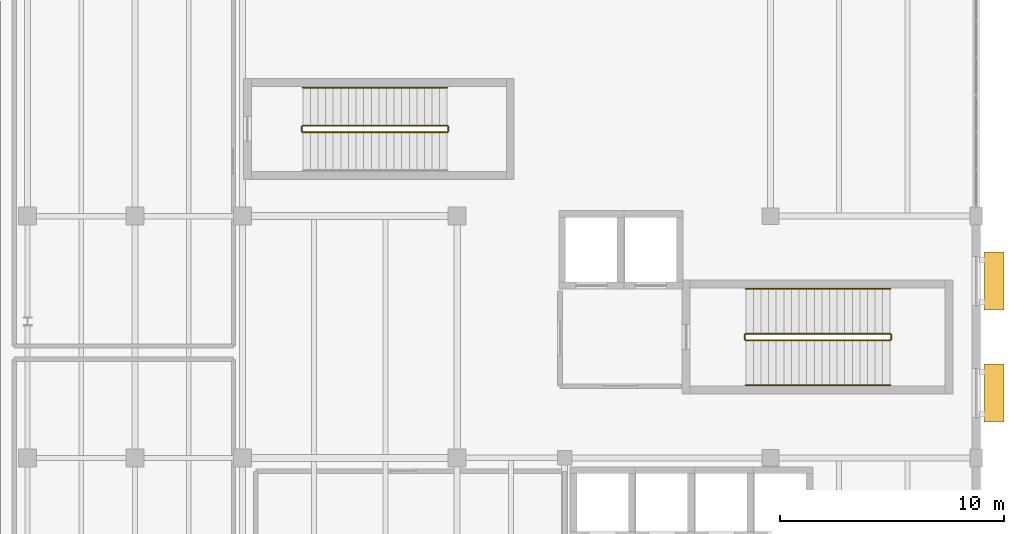
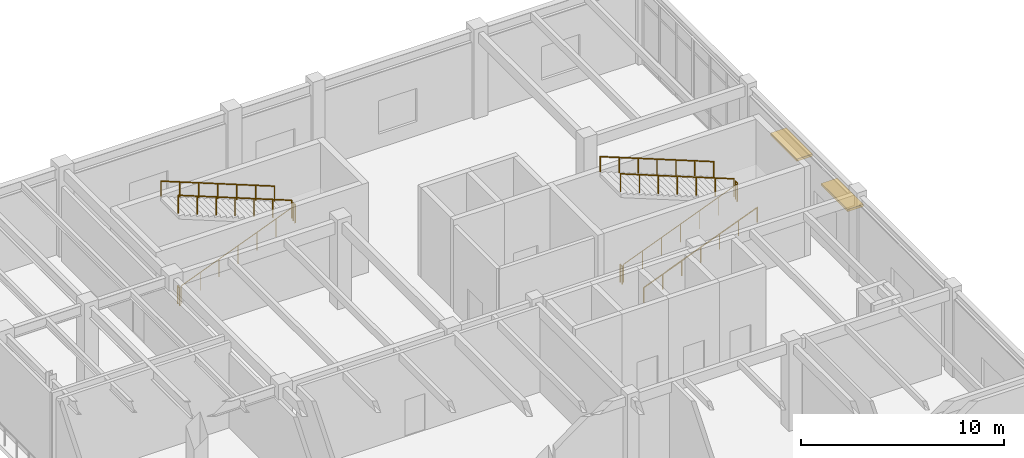
# One storey, part 72 of 72: 11 railings, 2 shading devices.
"""IFC4 building model written with IfcOpenShell, lengths in metres."""

from ifc_helpers import new_model, si_unit, direction, frame, origin, origin_2d, place, context, subcontext, project, spatial, rectangle, circle, extrude, material, type_object, element, save


model = new_model("IFC4")

# Units and contexts
model_context = context("Model", 3, precision=1e-05, world=origin(), true_north=direction((0.0, 1.0)))
body_context = subcontext(model_context, "Body", "Model", "MODEL_VIEW")
ifc_project = project(units=[si_unit("LENGTHUNIT", "METRE"), si_unit("AREAUNIT", "SQUARE_METRE"), si_unit("VOLUMEUNIT", "CUBIC_METRE"), si_unit("PLANEANGLEUNIT", "RADIAN"), si_unit("MASSUNIT", "GRAM", prefix="KILO")], contexts=[model_context])

# Site, building, storey
site_placement = place(None, origin())
site = spatial("IfcSite", under=ifc_project, at=site_placement, CompositionType="ELEMENT")
building_placement = place(site_placement, origin())
building = spatial("IfcBuilding", under=site, at=building_placement, Name="Veldera Park Congress Hotel", CompositionType="ELEMENT")
storey_placement = place(building_placement, frame((0.0, 0.0, 5.39990234375)))
storey = spatial("IfcBuildingStorey", under=building, at=storey_placement, Name="L01", CompositionType="ELEMENT", Elevation=5.39990234375)

# Railings
ifc_material_1 = material(Name="Steel ASTM A992 Gr.50", Category="steel")
railing_type_1 = type_object("IfcRailingType", Name="GRD-ST110", PredefinedType="GUARDRAIL", material=ifc_material_1)
railing_1_placement = place(storey_placement, frame((73.699951171875, 41.64990234375, 0.135009765625)))
element("IfcRailing", 1, at=railing_1_placement, inside=storey, type_object=railing_type_1, Name="L01 ST1 stair guard 1", PredefinedType="GUARDRAIL", context=body_context, shape_type="SweptSolid", body=[
    extrude(circle(Radius=0.02392578125, at=origin_2d()), frame((0.0, 0.0, 1.076171875), z_axis=(0.929406391584, 0.0, 0.369057934859), x_axis=(0.0, 1.0, 0.0)), (0.0, 0.0, 1.0), 6.95068359375),
    extrude(circle(Radius=0.02099609375, at=origin_2d()), origin(), (0.0, 0.0, 1.0), 1.052001953125),
    extrude(circle(Radius=0.02099609375, at=origin_2d()), frame((1.07666015625, 0.0, 0.427490234375)), (0.0, 0.0, 1.0), 1.052001953125),
    extrude(circle(Radius=0.02099609375, at=origin_2d()), frame((2.1533203125, 0.0, 0.85498046875)), (0.0, 0.0, 1.0), 1.052001953125),
    extrude(circle(Radius=0.02099609375, at=origin_2d()), frame((3.22998046875, 0.0, 1.28271484375)), (0.0, 0.0, 1.0), 1.052001953125),
    extrude(circle(Radius=0.02099609375, at=origin_2d()), frame((4.306640625, 0.0, 1.710205078125)), (0.0, 0.0, 1.0), 1.052001953125),
    extrude(circle(Radius=0.02099609375, at=origin_2d()), frame((5.38330078125, 0.0, 2.1376953125)), (0.0, 0.0, 1.0), 1.052001953125),
    extrude(circle(Radius=0.02099609375, at=origin_2d()), frame((6.4599609375, 0.0, 2.565185546875)), (0.0, 0.0, 1.0), 1.052001953125),
])
railing_2_placement = place(storey_placement, frame((80.2099609375, 41.699951171875, 2.7001953125)))
element("IfcRailing", 2, at=railing_2_placement, inside=storey, type_object=railing_type_1, Name="L01 ST1 stair guard 2", PredefinedType="GUARDRAIL", context=body_context, shape_type="SweptSolid", body=[
    extrude(circle(Radius=0.02392578125, at=origin_2d()), frame((0.0, 0.0, 1.076171875), z_axis=(0.0, 1.0, 0.0), x_axis=(-1.0, 0.0, 0.0)), (0.0, 0.0, 1.0), 0.199951171875),
    extrude(circle(Radius=0.02099609375, at=origin_2d()), origin(), (0.0, 0.0, 1.0), 1.052001953125),
    extrude(circle(Radius=0.02099609375, at=origin_2d()), frame((0.0, 0.199951171875, 0.0)), (0.0, 0.0, 1.0), 1.052001953125),
])
railing_3_placement = place(storey_placement, frame((80.159912109375, 41.949951171875, 2.835205078125)))
element("IfcRailing", 3, at=railing_3_placement, inside=storey, type_object=railing_type_1, Name="L01 ST1 stair guard 3", PredefinedType="GUARDRAIL", context=body_context, shape_type="SweptSolid", body=[
    extrude(circle(Radius=0.02392578125, at=origin_2d()), frame((0.0, 0.0, 1.076171875), z_axis=(-0.929418439274, 0.0, 0.369027593462), x_axis=(0.0, -1.0, 0.0)), (0.0, 0.0, 1.0), 6.950439453125),
    extrude(circle(Radius=0.02099609375, at=origin_2d()), origin(), (0.0, 0.0, 1.0), 1.052001953125),
    extrude(circle(Radius=0.02099609375, at=origin_2d()), frame((-1.07666015625, 0.0, 0.427490234375)), (0.0, 0.0, 1.0), 1.052001953125),
    extrude(circle(Radius=0.02099609375, at=origin_2d()), frame((-2.1533203125, 0.0, 0.85498046875)), (0.0, 0.0, 1.0), 1.052001953125),
    extrude(circle(Radius=0.02099609375, at=origin_2d()), frame((-3.22998046875, 0.0, 1.282470703125)), (0.0, 0.0, 1.0), 1.052001953125),
    extrude(circle(Radius=0.02099609375, at=origin_2d()), frame((-4.306640625, 0.0, 1.7099609375)), (0.0, 0.0, 1.0), 1.052001953125),
    extrude(circle(Radius=0.02099609375, at=origin_2d()), frame((-5.38330078125, 0.0, 2.137451171875)), (0.0, 0.0, 1.0), 1.052001953125),
    extrude(circle(Radius=0.02099609375, at=origin_2d()), frame((-6.4599609375, 0.0, 2.56494140625)), (0.0, 0.0, 1.0), 1.052001953125),
])
railing_4_placement = place(storey_placement, frame((73.64990234375, 41.699951171875, 0.0)))
element("IfcRailing", 4, at=railing_4_placement, inside=storey, type_object=railing_type_1, Name="L01 ST1 stair guard 4", PredefinedType="GUARDRAIL", context=body_context, shape_type="SweptSolid", body=[
    extrude(circle(Radius=0.02392578125, at=origin_2d()), frame((0.0, 0.0, 1.076171875), z_axis=(0.0, 1.0, 0.0), x_axis=(-1.0, 0.0, 0.0)), (0.0, 0.0, 1.0), 0.199951171875),
    extrude(circle(Radius=0.02099609375, at=origin_2d()), origin(), (0.0, 0.0, 1.0), 1.052001953125),
    extrude(circle(Radius=0.02099609375, at=origin_2d()), frame((0.0, 0.199951171875, 0.0)), (0.0, 0.0, 1.0), 1.052001953125),
])
railing_5_placement = place(storey_placement, frame((53.89990234375, 50.949951171875, 0.135009765625)))
element("IfcRailing", 5, at=railing_5_placement, inside=storey, type_object=railing_type_1, Name="L01 ST3 stair guard 1", PredefinedType="GUARDRAIL", context=body_context, shape_type="SweptSolid", body=[
    extrude(circle(Radius=0.02392578125, at=origin_2d()), frame((0.0, 0.0, 1.076171875), z_axis=(0.929411175501, 0.0, 0.369045887192), x_axis=(0.0, 1.0, 0.0)), (0.0, 0.0, 1.0), 6.950927734375),
    extrude(circle(Radius=0.02099609375, at=origin_2d()), origin(), (0.0, 0.0, 1.0), 1.052001953125),
    extrude(circle(Radius=0.02099609375, at=origin_2d()), frame((1.07666015625, 0.0, 0.427490234375)), (0.0, 0.0, 1.0), 1.052001953125),
    extrude(circle(Radius=0.02099609375, at=origin_2d()), frame((2.1533203125, 0.0, 0.85498046875)), (0.0, 0.0, 1.0), 1.052001953125),
    extrude(circle(Radius=0.02099609375, at=origin_2d()), frame((3.22998046875, 0.0, 1.28271484375)), (0.0, 0.0, 1.0), 1.052001953125),
    extrude(circle(Radius=0.02099609375, at=origin_2d()), frame((4.306884765625, 0.0, 1.710205078125)), (0.0, 0.0, 1.0), 1.052001953125),
    extrude(circle(Radius=0.02099609375, at=origin_2d()), frame((5.383544921875, 0.0, 2.1376953125)), (0.0, 0.0, 1.0), 1.052001953125),
    extrude(circle(Radius=0.02099609375, at=origin_2d()), frame((6.460205078125, 0.0, 2.565185546875)), (0.0, 0.0, 1.0), 1.052001953125),
])
railing_6_placement = place(storey_placement, frame((60.409912109375, 51.0, 2.7001953125)))
element("IfcRailing", 6, at=railing_6_placement, inside=storey, type_object=railing_type_1, Name="L01 ST3 stair guard 2", PredefinedType="GUARDRAIL", context=body_context, shape_type="SweptSolid", body=[
    extrude(circle(Radius=0.02392578125, at=origin_2d()), frame((0.0, 0.0, 1.076171875), z_axis=(0.0, 1.0, 0.0), x_axis=(-1.0, 0.0, 0.0)), (0.0, 0.0, 1.0), 0.199951171875),
    extrude(circle(Radius=0.02099609375, at=origin_2d()), origin(), (0.0, 0.0, 1.0), 1.052001953125),
    extrude(circle(Radius=0.02099609375, at=origin_2d()), frame((0.0, 0.199951171875, 0.0)), (0.0, 0.0, 1.0), 1.052001953125),
])
railing_7_placement = place(storey_placement, frame((60.360107421875, 51.25, 2.835205078125)))
element("IfcRailing", 7, at=railing_7_placement, inside=storey, type_object=railing_type_1, Name="L01 ST3 stair guard 3", PredefinedType="GUARDRAIL", context=body_context, shape_type="SweptSolid", body=[
    extrude(circle(Radius=0.02392578125, at=origin_2d()), frame((0.0, 0.0, 1.076171875), z_axis=(-0.929423222467, 0.0, 0.369015546474), x_axis=(0.0, -1.0, 0.0)), (0.0, 0.0, 1.0), 6.95068359375),
    extrude(circle(Radius=0.02099609375, at=origin_2d()), origin(), (0.0, 0.0, 1.0), 1.052001953125),
    extrude(circle(Radius=0.02099609375, at=origin_2d()), frame((-1.07666015625, 0.0, 0.427490234375)), (0.0, 0.0, 1.0), 1.052001953125),
    extrude(circle(Radius=0.02099609375, at=origin_2d()), frame((-2.1533203125, 0.0, 0.85498046875)), (0.0, 0.0, 1.0), 1.052001953125),
    extrude(circle(Radius=0.02099609375, at=origin_2d()), frame((-3.22998046875, 0.0, 1.282470703125)), (0.0, 0.0, 1.0), 1.052001953125),
    extrude(circle(Radius=0.02099609375, at=origin_2d()), frame((-4.306884765625, 0.0, 1.7099609375)), (0.0, 0.0, 1.0), 1.052001953125),
    extrude(circle(Radius=0.02099609375, at=origin_2d()), frame((-5.383544921875, 0.0, 2.137451171875)), (0.0, 0.0, 1.0), 1.052001953125),
    extrude(circle(Radius=0.02099609375, at=origin_2d()), frame((-6.460205078125, 0.0, 2.56494140625)), (0.0, 0.0, 1.0), 1.052001953125),
])
railing_8_placement = place(storey_placement, frame((53.85009765625, 51.0, 0.0)))
element("IfcRailing", 8, at=railing_8_placement, inside=storey, type_object=railing_type_1, Name="L01 ST3 stair guard 4", PredefinedType="GUARDRAIL", context=body_context, shape_type="SweptSolid", body=[
    extrude(circle(Radius=0.02392578125, at=origin_2d()), frame((0.0, 0.0, 1.076171875), z_axis=(0.0, 1.0, 0.0), x_axis=(-1.0, 0.0, 0.0)), (0.0, 0.0, 1.0), 0.199951171875),
    extrude(circle(Radius=0.02099609375, at=origin_2d()), origin(), (0.0, 0.0, 1.0), 1.052001953125),
    extrude(circle(Radius=0.02099609375, at=origin_2d()), frame((0.0, 0.199951171875, 0.0)), (0.0, 0.0, 1.0), 1.052001953125),
])
railing_type_2 = type_object("IfcRailingType", Name="HRL-920", PredefinedType="HANDRAIL", material=ifc_material_1)
railing_9_placement = place(storey_placement, frame((73.699951171875, 39.64990234375, 0.135009765625)))
element("IfcRailing", 9, at=railing_9_placement, inside=storey, type_object=railing_type_2, Name="L01 ST1 stair handrail 1", PredefinedType="HANDRAIL", context=body_context, shape_type="SweptSolid", body=[
    extrude(circle(Radius=0.02392578125, at=origin_2d()), frame((0.0, 0.0, 0.89599609375), z_axis=(0.929406391584, 0.0, 0.369057934859), x_axis=(0.0, 1.0, 0.0)), (0.0, 0.0, 1.0), 6.95068359375),
    extrude(circle(Radius=0.02099609375, at=origin_2d()), origin(), (0.0, 0.0, 1.0), 0.871826171875),
    extrude(circle(Radius=0.02099609375, at=origin_2d()), frame((1.07666015625, 0.0, 0.427490234375)), (0.0, 0.0, 1.0), 0.871826171875),
    extrude(circle(Radius=0.02099609375, at=origin_2d()), frame((2.1533203125, 0.0, 0.85498046875)), (0.0, 0.0, 1.0), 0.871826171875),
    extrude(circle(Radius=0.02099609375, at=origin_2d()), frame((3.22998046875, 0.0, 1.28271484375)), (0.0, 0.0, 1.0), 0.871826171875),
    extrude(circle(Radius=0.02099609375, at=origin_2d()), frame((4.306640625, 0.0, 1.710205078125)), (0.0, 0.0, 1.0), 0.871826171875),
    extrude(circle(Radius=0.02099609375, at=origin_2d()), frame((5.38330078125, 0.0, 2.1376953125)), (0.0, 0.0, 1.0), 0.871826171875),
    extrude(circle(Radius=0.02099609375, at=origin_2d()), frame((6.4599609375, 0.0, 2.565185546875)), (0.0, 0.0, 1.0), 0.871826171875),
])
railing_10_placement = place(storey_placement, frame((80.159912109375, 43.949951171875, 2.835205078125)))
element("IfcRailing", 10, at=railing_10_placement, inside=storey, type_object=railing_type_2, Name="L01 ST1 stair handrail 2", PredefinedType="HANDRAIL", context=body_context, shape_type="SweptSolid", body=[
    extrude(circle(Radius=0.02392578125, at=origin_2d()), frame((0.0, 0.0, 0.89599609375), z_axis=(-0.929418439274, 0.0, 0.369027593462), x_axis=(0.0, -1.0, 0.0)), (0.0, 0.0, 1.0), 6.950439453125),
    extrude(circle(Radius=0.02099609375, at=origin_2d()), origin(), (0.0, 0.0, 1.0), 0.871826171875),
    extrude(circle(Radius=0.02099609375, at=origin_2d()), frame((-1.07666015625, 0.0, 0.427490234375)), (0.0, 0.0, 1.0), 0.871826171875),
    extrude(circle(Radius=0.02099609375, at=origin_2d()), frame((-2.1533203125, 0.0, 0.85498046875)), (0.0, 0.0, 1.0), 0.871826171875),
    extrude(circle(Radius=0.02099609375, at=origin_2d()), frame((-3.22998046875, 0.0, 1.282470703125)), (0.0, 0.0, 1.0), 0.871826171875),
    extrude(circle(Radius=0.02099609375, at=origin_2d()), frame((-4.306640625, 0.0, 1.7099609375)), (0.0, 0.0, 1.0), 0.871826171875),
    extrude(circle(Radius=0.02099609375, at=origin_2d()), frame((-5.38330078125, 0.0, 2.137451171875)), (0.0, 0.0, 1.0), 0.871826171875),
    extrude(circle(Radius=0.02099609375, at=origin_2d()), frame((-6.4599609375, 0.0, 2.56494140625)), (0.0, 0.0, 1.0), 0.871826171875),
])
railing_11_placement = place(storey_placement, frame((60.360107421875, 52.949951171875, 2.835205078125)))
element("IfcRailing", 11, at=railing_11_placement, inside=storey, type_object=railing_type_2, Name="L01 ST3 stair handrail 2", PredefinedType="HANDRAIL", context=body_context, shape_type="SweptSolid", body=[
    extrude(circle(Radius=0.02392578125, at=origin_2d()), frame((0.0, 0.0, 0.89599609375), z_axis=(-0.929423222467, 0.0, 0.369015546474), x_axis=(0.0, -1.0, 0.0)), (0.0, 0.0, 1.0), 6.95068359375),
    extrude(circle(Radius=0.02099609375, at=origin_2d()), origin(), (0.0, 0.0, 1.0), 0.871826171875),
    extrude(circle(Radius=0.02099609375, at=origin_2d()), frame((-1.07666015625, 0.0, 0.427490234375)), (0.0, 0.0, 1.0), 0.871826171875),
    extrude(circle(Radius=0.02099609375, at=origin_2d()), frame((-2.1533203125, 0.0, 0.85498046875)), (0.0, 0.0, 1.0), 0.871826171875),
    extrude(circle(Radius=0.02099609375, at=origin_2d()), frame((-3.22998046875, 0.0, 1.282470703125)), (0.0, 0.0, 1.0), 0.871826171875),
    extrude(circle(Radius=0.02099609375, at=origin_2d()), frame((-4.306884765625, 0.0, 1.7099609375)), (0.0, 0.0, 1.0), 0.871826171875),
    extrude(circle(Radius=0.02099609375, at=origin_2d()), frame((-5.383544921875, 0.0, 2.137451171875)), (0.0, 0.0, 1.0), 0.871826171875),
    extrude(circle(Radius=0.02099609375, at=origin_2d()), frame((-6.460205078125, 0.0, 2.56494140625)), (0.0, 0.0, 1.0), 0.871826171875),
])

# Shading devices
ifc_material_2 = material(Name="Glulam GL28h (NDS 24F-V4)", Category="wood")
shading_device_type = type_object("IfcShadingDeviceType", Name="SHD-SHF450", PredefinedType="AWNING", material=ifc_material_2)
for number, where, z_axis, x_axis, name in (
    (12, (84.7900390625, 39.299072265625, 2.8603515625), (0.0, 0.0, 1.0), (0.0, 1.0, 0.0), "Glulam Solar Shade 113"),
    (13, (84.7900390625, 44.301025390625, 2.8603515625), (0.0, 0.0, 1.0), (0.0, 1.0, 0.0), "Glulam Solar Shade 114"),
):
    element("IfcShadingDevice", number, at=place(storey_placement, frame(where, z_axis=z_axis, x_axis=x_axis)), inside=storey, type_object=shading_device_type, Name=name, PredefinedType="AWNING", context=body_context, shape_type="SweptSolid", body=[
        extrude(rectangle(XDim=2.60009765625, YDim=0.89990234375, at=origin_2d()), origin(), (0.0, 0.0, 1.0), 0.139892578125),
    ])

save(model, "model.ifc")
